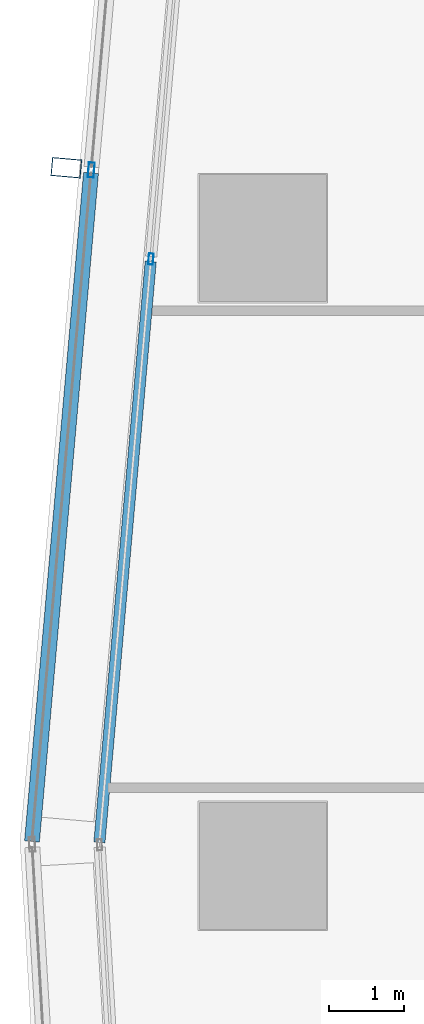
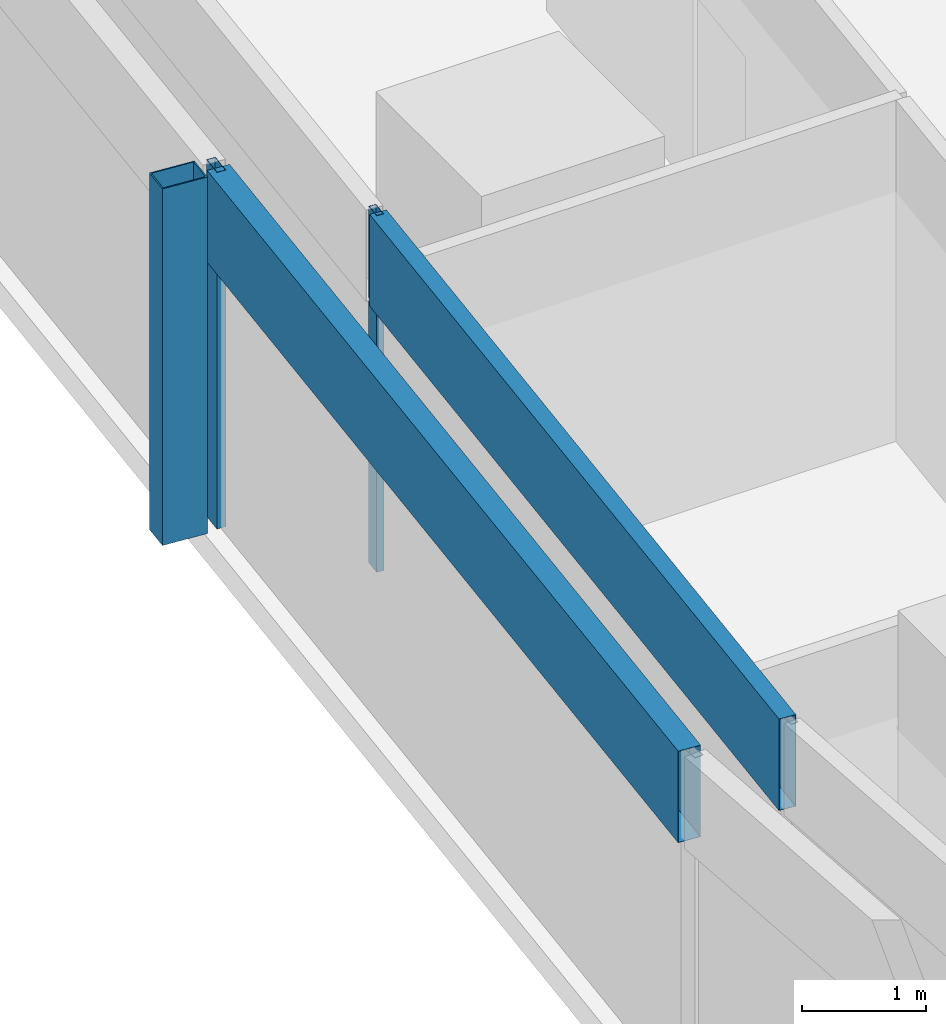
# One storey, part 16 of 39: 5 members, 2 elements without a shape of their own.
"""IFC4 building model written with IfcOpenShell, lengths in metres."""

from ifc_helpers import new_model, si_unit, direction, frame, origin, origin_2d, place, context, subcontext, project, spatial, hollow_rectangle, extrude, material, material_profile, profile_set, type_object, element, aggregate, save


model = new_model("IFC4")

# Units and contexts
model_context = context("Model", 3, precision=1e-05, world=origin(), true_north=direction((0.0, 1.0)))
body_context = subcontext(model_context, "Body", "Model", "MODEL_VIEW")
ifc_project = project(units=[si_unit("LENGTHUNIT", "METRE"), si_unit("AREAUNIT", "SQUARE_METRE"), si_unit("VOLUMEUNIT", "CUBIC_METRE"), si_unit("PLANEANGLEUNIT", "RADIAN"), si_unit("MASSUNIT", "GRAM", prefix="KILO")], contexts=[model_context])

# Site, building, storey
site_placement = place(None, origin())
site = spatial("IfcSite", under=ifc_project, at=site_placement, CompositionType="ELEMENT")
building_placement = place(site_placement, origin())
building = spatial("IfcBuilding", under=site, at=building_placement, Name="Rekha Terrace Tower", CompositionType="ELEMENT")
storey_placement = place(building_placement, frame((0.0, 0.0, 183.949951171875)))
storey = spatial("IfcBuildingStorey", under=building, at=storey_placement, Name="L46", CompositionType="ELEMENT", Elevation=183.949951171875)

# Curtain wall, member
ifc_material_1 = material(Name="Aluminium framing", Category="aluminium")
curtain_wall_type_1 = type_object("IfcCurtainWallType", Name="CW2 double skin outer glazing", PredefinedType="USERDEFINED", material=ifc_material_1)
curtain_wall_1_placement = place(storey_placement, origin())
curtain_wall_1 = element("IfcCurtainWall", 1, at=curtain_wall_1_placement, inside=storey, type_object=curtain_wall_type_1, Name="CW2 double skin outer glazing", ObjectType="DOUBLE SKIN OUTER GLAZING", PredefinedType="USERDEFINED")
ifc_material_2 = material(Name="Steel S355 with fluorocarbon finish", Category="steel")
ifc_material_profile_1 = material_profile(ifc_material_2, hollow_rectangle(XDim=0.25, YDim=0.39990234375, WallThickness=0.012451171875, at=origin_2d()), Name="RHS400x250x12.5")
ifc_profile_set_1 = profile_set([ifc_material_profile_1], Name="Steel S355 with fluorocarbon finish")
member_type_1 = type_object("IfcMemberType", Name="BL1 facade blade RHS 400 x 250", PredefinedType="USERDEFINED", material=ifc_profile_set_1)
member_1_placement = place(storey_placement, frame((5.77001953125, 51.341796875, 0.0), z_axis=(0.0, 0.0, 1.0), x_axis=(-0.087957249501, -0.996124250413, 0.0)))
member_1 = element("IfcMember", 2, at=member_1_placement, type_object=member_type_1, Name="Facade blade", ObjectType="FACADE BLADE", PredefinedType="USERDEFINED", context=body_context, shape_type="SweptSolid", body=[
    extrude(hollow_rectangle(XDim=0.25, YDim=0.39990234375, WallThickness=0.012451171875, at=origin_2d()), origin(), (0.0, 0.0, 1.0), 3.5),
])

# Curtain wall, members
curtain_wall_type_2 = type_object("IfcCurtainWallType", Name="CW1 double skin inner glazing", PredefinedType="USERDEFINED", material=ifc_material_1)
curtain_wall_2_placement = place(storey_placement, origin())
curtain_wall_2 = element("IfcCurtainWall", 3, at=curtain_wall_2_placement, inside=storey, type_object=curtain_wall_type_2, Name="CW1 double skin inner glazing", ObjectType="DOUBLE SKIN INNER GLAZING", PredefinedType="USERDEFINED")
ifc_material_3 = material(Name="Aluminium mullion section", Category="aluminium")
ifc_material_profile_2 = material_profile(ifc_material_3, hollow_rectangle(XDim=0.06494140625, YDim=0.14990234375, WallThickness=0.00390625, at=origin_2d()), Name="AL RHS 65x150")
ifc_profile_set_2 = profile_set([ifc_material_profile_2], Name="Aluminium mullion section")
member_type_2 = type_object("IfcMemberType", Name="CW1 mullion RHS 65 x 150", PredefinedType="MULLION", material=ifc_profile_set_2)
member_2_placement = place(storey_placement, frame((6.902099609375, 50.120361328125, 0.0), z_axis=(0.0, 0.0, 1.0), x_axis=(0.996124185425, -0.087957985488, 0.0)))
member_2 = element("IfcMember", 4, at=member_2_placement, type_object=member_type_2, Name="CW1 mullion 2", PredefinedType="MULLION", context=body_context, shape_type="SweptSolid", body=[
    extrude(hollow_rectangle(XDim=0.06494140625, YDim=0.14990234375, WallThickness=0.00390625, at=origin_2d()), origin(), (0.0, 0.0, 1.0), 3.5),
])
ifc_material_4 = material(Name="Insulated aluminium spandrel box", Category="aluminium")
ifc_material_profile_3 = material_profile(ifc_material_4, hollow_rectangle(XDim=0.14990234375, YDim=0.89990234375, WallThickness=0.0029296875, at=origin_2d()), Name="AL SPANDREL BOX 150x900")
ifc_profile_set_3 = profile_set([ifc_material_profile_3], Name="Insulated aluminium spandrel box")
member_type_3 = type_object("IfcMemberType", Name="CW1 spandrel transom 150 x 900", PredefinedType="USERDEFINED", material=ifc_profile_set_3)
member_3_placement = place(storey_placement, frame((6.899169921875, 50.087890625, 3.050048828125), z_axis=(-0.087974158084, -0.996122757249, 0.0), x_axis=(0.996122757249, -0.087974158084, 0.0)))
member_3 = element("IfcMember", 5, at=member_3_placement, type_object=member_type_3, Name="CW1 spandrel transom 2", ObjectType="TRANSOM", PredefinedType="USERDEFINED", context=body_context, shape_type="SweptSolid", body=[
    extrude(hollow_rectangle(XDim=0.14990234375, YDim=0.89990234375, WallThickness=0.0029296875, at=origin_2d()), origin(), (0.0, 0.0, 1.0), 7.8037109375),
])
aggregate(curtain_wall_2, [member_2, member_3])

# Member
ifc_material_profile_4 = material_profile(ifc_material_3, hollow_rectangle(XDim=0.080078125, YDim=0.199951171875, WallThickness=0.00390625, at=origin_2d()), Name="AL RHS 80x200")
ifc_profile_set_4 = profile_set([ifc_material_profile_4], Name="Aluminium mullion section")
member_type_4 = type_object("IfcMemberType", Name="CW2 mullion RHS 80 x 200", PredefinedType="MULLION", material=ifc_profile_set_4)
member_4_placement = place(storey_placement, frame((6.103759765625, 51.312255859375, 0.0), z_axis=(0.0, 0.0, 1.0), x_axis=(0.996124185428, -0.087957985453, 0.0)))
member_4 = element("IfcMember", 6, at=member_4_placement, type_object=member_type_4, Name="CW2 mullion 2", PredefinedType="MULLION", context=body_context, shape_type="SweptSolid", body=[
    extrude(hollow_rectangle(XDim=0.080078125, YDim=0.199951171875, WallThickness=0.00390625, at=origin_2d()), origin(), (0.0, 0.0, 1.0), 3.5),
])

ifc_material_profile_5 = material_profile(ifc_material_4, hollow_rectangle(XDim=0.199951171875, YDim=0.89990234375, WallThickness=0.0029296875, at=origin_2d()), Name="AL SPANDREL BOX 200x900")
ifc_profile_set_5 = profile_set([ifc_material_profile_5], Name="Insulated aluminium spandrel box")
member_type_5 = type_object("IfcMemberType", Name="CW2 spandrel transom 200 x 900", PredefinedType="USERDEFINED", material=ifc_profile_set_5)
member_5_placement = place(storey_placement, frame((6.100341796875, 51.2724609375, 3.050048828125), z_axis=(-0.087981092326, -0.996122144816, 0.0), x_axis=(0.996122144816, -0.087981092326, 0.0)))
member_5 = element("IfcMember", 7, at=member_5_placement, type_object=member_type_5, Name="CW2 spandrel transom 2", ObjectType="TRANSOM", PredefinedType="USERDEFINED", context=body_context, shape_type="SweptSolid", body=[
    extrude(hollow_rectangle(XDim=0.199951171875, YDim=0.89990234375, WallThickness=0.0029296875, at=origin_2d()), origin(), (0.0, 0.0, 1.0), 8.979736328125),
])

aggregate(curtain_wall_1, [member_4, member_5, member_1])

save(model, "model.ifc")
